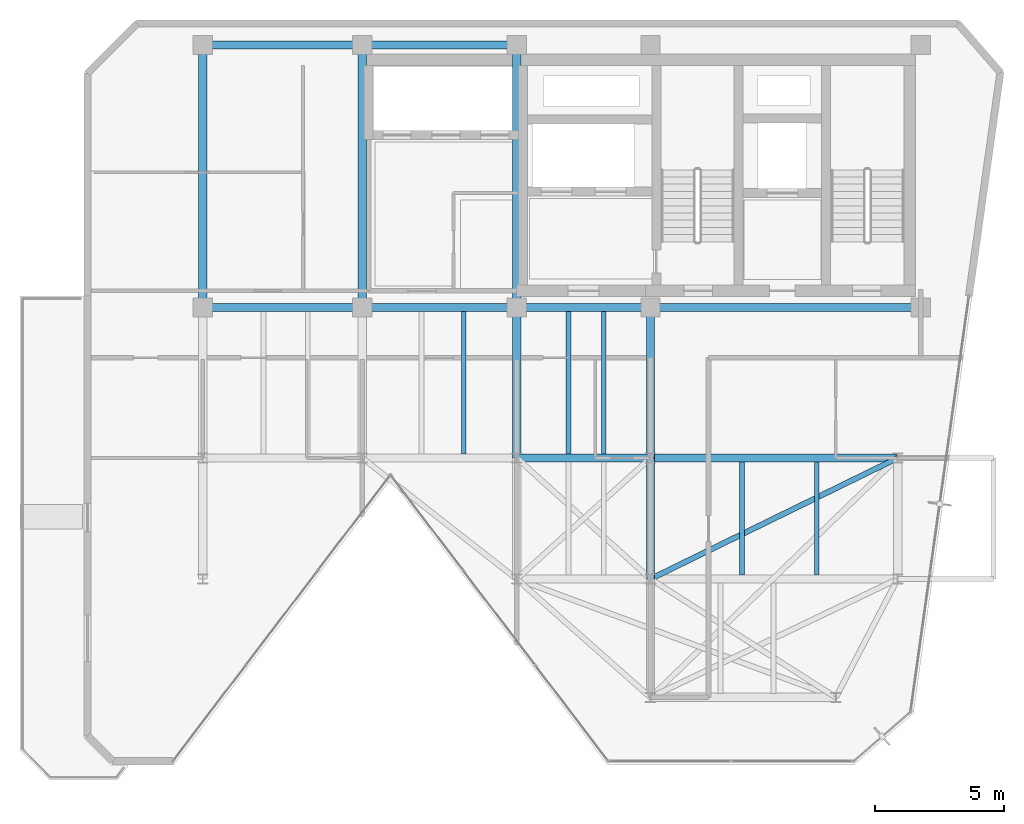
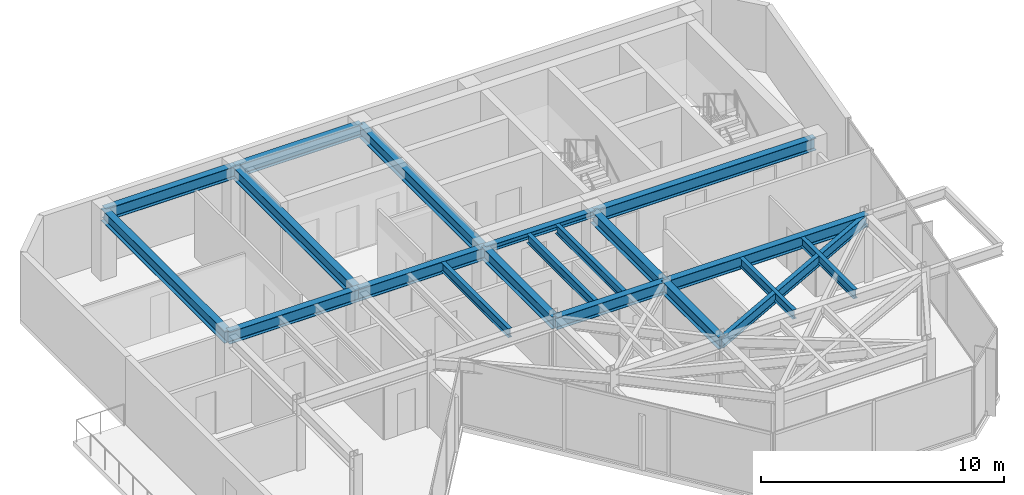
# One storey, part 9 of 16: 20 beams.
"""IFC4 building model written with IfcOpenShell, lengths in metres."""

from ifc_helpers import new_model, si_unit, direction, frame, origin, origin_2d, place, context, subcontext, project, spatial, i_section, extrude, material, material_profile, profile_set, type_object, element, save


model = new_model("IFC4")

# Units and contexts
model_context = context("Model", 3, precision=1e-05, world=origin(), true_north=direction((0.0, 1.0)))
body_context = subcontext(model_context, "Body", "Model", "MODEL_VIEW")
ifc_project = project(units=[si_unit("LENGTHUNIT", "METRE"), si_unit("AREAUNIT", "SQUARE_METRE"), si_unit("VOLUMEUNIT", "CUBIC_METRE"), si_unit("PLANEANGLEUNIT", "RADIAN"), si_unit("MASSUNIT", "GRAM", prefix="KILO")], contexts=[model_context])

# Site, building, storey
site_placement = place(None, origin())
site = spatial("IfcSite", under=ifc_project, at=site_placement, CompositionType="ELEMENT")
building_placement = place(site_placement, origin())
building = spatial("IfcBuilding", under=site, at=building_placement, Name="Kravanh Interchange Tower", CompositionType="ELEMENT")
storey_placement = place(building_placement, frame((0.0, 0.0, 296.699951171875)))
storey = spatial("IfcBuildingStorey", under=building, at=storey_placement, Name="L73", CompositionType="ELEMENT", Elevation=296.699951171875)

# Beams
ifc_material_1 = material(Name="Structural Steel S355", Category="steel")
ifc_material_profile_1 = material_profile(ifc_material_1, i_section(OverallWidth=0.323974609375, OverallDepth=0.611083984375, WebThickness=0.0126953125, FlangeThickness=0.01904296875, FilletRadius=0.02197265625, at=origin_2d()), Name="W24X104")
ifc_profile_set_1 = profile_set([ifc_material_profile_1], Name="Structural Steel S355")
beam_type_1 = type_object("IfcBeamType", Name="Floor Beam W24X104 Structural Steel S355", PredefinedType="BEAM", material=ifc_profile_set_1)
beam_1_placement = place(storey_placement, frame((50.800048828125, 31.5, 3.0595703125), z_axis=(1.0, 0.0, 0.0), x_axis=(0.0, 1.0, 0.0)))
element("IfcBeam", 1, at=beam_1_placement, inside=storey, type_object=beam_type_1, Name="L73 Primary Floor Girder 6", PredefinedType="BEAM", context=body_context, shape_type="SweptSolid", body=[
    extrude(i_section(OverallWidth=0.323974609375, OverallDepth=0.611083984375, WebThickness=0.0126953125, FlangeThickness=0.01904296875, FilletRadius=0.02197265625, at=origin_2d()), origin(), (0.0, 0.0, 1.0), 5.199951171875),
])
beam_2_placement = place(storey_placement, frame((50.800048828125, 31.5, 3.0595703125), z_axis=(0.0, 1.0, 0.0), x_axis=(-1.0, 0.0, 0.0)))
element("IfcBeam", 2, at=beam_2_placement, inside=storey, type_object=beam_type_1, Name="L73 Primary Floor Girder 7", PredefinedType="BEAM", context=body_context, shape_type="SweptSolid", body=[
    extrude(i_section(OverallWidth=0.323974609375, OverallDepth=0.611083984375, WebThickness=0.0126953125, FlangeThickness=0.01904296875, FilletRadius=0.02197265625, at=origin_2d()), origin(), (0.0, 0.0, 1.0), 5.85009765625),
])
beam_3_placement = place(storey_placement, frame((56.0, 31.5, 3.0595703125), z_axis=(0.0, -1.0, 0.0), x_axis=(1.0, 0.0, 0.0)))
element("IfcBeam", 3, at=beam_3_placement, inside=storey, type_object=beam_type_1, Name="L73 Primary Floor Girder 9", PredefinedType="BEAM", context=body_context, shape_type="SweptSolid", body=[
    extrude(i_section(OverallWidth=0.323974609375, OverallDepth=0.611083984375, WebThickness=0.0126953125, FlangeThickness=0.01904296875, FilletRadius=0.02197265625, at=origin_2d()), origin(), (0.0, 0.0, 1.0), 4.699951171875),
])
beam_4_placement = place(storey_placement, frame((56.0, 31.5, 3.0595703125), z_axis=(0.0, 1.0, 0.0), x_axis=(-1.0, 0.0, 0.0)))
element("IfcBeam", 4, at=beam_4_placement, inside=storey, type_object=beam_type_1, Name="L73 Primary Floor Girder 10", PredefinedType="BEAM", context=body_context, shape_type="SweptSolid", body=[
    extrude(i_section(OverallWidth=0.323974609375, OverallDepth=0.611083984375, WebThickness=0.0126953125, FlangeThickness=0.01904296875, FilletRadius=0.02197265625, at=origin_2d()), origin(), (0.0, 0.0, 1.0), 5.85009765625),
])
beam_5_placement = place(storey_placement, frame((56.0, 31.5, 3.0595703125), z_axis=(1.0, 0.0, 0.0), x_axis=(0.0, 1.0, 0.0)))
element("IfcBeam", 5, at=beam_5_placement, inside=storey, type_object=beam_type_1, Name="L73 Primary Floor Girder 12", PredefinedType="BEAM", context=body_context, shape_type="SweptSolid", body=[
    extrude(i_section(OverallWidth=0.323974609375, OverallDepth=0.611083984375, WebThickness=0.0126953125, FlangeThickness=0.01904296875, FilletRadius=0.02197265625, at=origin_2d()), origin(), (0.0, 0.0, 1.0), 9.60009765625),
])
beam_6_placement = place(storey_placement, frame((66.5, 37.35009765625, 3.0595703125), z_axis=(-1.0, 0.0, 0.0), x_axis=(0.0, -1.0, 0.0)))
element("IfcBeam", 6, at=beam_6_placement, inside=storey, type_object=beam_type_1, Name="L73 Primary Floor Girder 32", PredefinedType="BEAM", context=body_context, shape_type="SweptSolid", body=[
    extrude(i_section(OverallWidth=0.323974609375, OverallDepth=0.611083984375, WebThickness=0.0126953125, FlangeThickness=0.01904296875, FilletRadius=0.02197265625, at=origin_2d()), origin(), (0.0, 0.0, 1.0), 10.5),
])
beam_7_placement = place(storey_placement, frame((50.800048828125, 47.550048828125, 3.0595703125), z_axis=(-1.0, 0.0, 0.0), x_axis=(0.0, -1.0, 0.0)))
element("IfcBeam", 7, at=beam_7_placement, inside=storey, type_object=beam_type_1, Name="L73 Primary Floor Girder 34", PredefinedType="BEAM", context=body_context, shape_type="SweptSolid", body=[
    extrude(i_section(OverallWidth=0.323974609375, OverallDepth=0.611083984375, WebThickness=0.0126953125, FlangeThickness=0.01904296875, FilletRadius=0.02197265625, at=origin_2d()), origin(), (0.0, 0.0, 1.0), 6.0),
])
beam_8_placement = place(storey_placement, frame((50.800048828125, 47.550048828125, 3.0595703125), z_axis=(0.0, -1.0, 0.0), x_axis=(1.0, 0.0, 0.0)))
element("IfcBeam", 8, at=beam_8_placement, inside=storey, type_object=beam_type_1, Name="L73 Primary Floor Girder 35", PredefinedType="BEAM", context=body_context, shape_type="SweptSolid", body=[
    extrude(i_section(OverallWidth=0.323974609375, OverallDepth=0.611083984375, WebThickness=0.0126953125, FlangeThickness=0.01904296875, FilletRadius=0.02197265625, at=origin_2d()), origin(), (0.0, 0.0, 1.0), 10.199951171875),
])
beam_9_placement = place(storey_placement, frame((50.800048828125, 37.35009765625, 3.0595703125), z_axis=(-1.0, 0.0, 0.0), x_axis=(0.0, -1.0, 0.0)))
element("IfcBeam", 9, at=beam_9_placement, inside=storey, type_object=beam_type_1, Name="L73 Primary Floor Girder 36", PredefinedType="BEAM", context=body_context, shape_type="SweptSolid", body=[
    extrude(i_section(OverallWidth=0.323974609375, OverallDepth=0.611083984375, WebThickness=0.0126953125, FlangeThickness=0.01904296875, FilletRadius=0.02197265625, at=origin_2d()), origin(), (0.0, 0.0, 1.0), 6.0),
])
beam_10_placement = place(storey_placement, frame((44.800048828125, 37.35009765625, 3.0595703125), z_axis=(-1.0, 0.0, 0.0), x_axis=(0.0, -1.0, 0.0)))
element("IfcBeam", 10, at=beam_10_placement, inside=storey, type_object=beam_type_1, Name="L73 Primary Floor Girder 37", PredefinedType="BEAM", context=body_context, shape_type="SweptSolid", body=[
    extrude(i_section(OverallWidth=0.323974609375, OverallDepth=0.611083984375, WebThickness=0.0126953125, FlangeThickness=0.01904296875, FilletRadius=0.02197265625, at=origin_2d()), origin(), (0.0, 0.0, 1.0), 6.199951171875),
])
beam_11_placement = place(storey_placement, frame((44.800048828125, 37.35009765625, 3.0595703125), z_axis=(0.0, 1.0, 0.0), x_axis=(-1.0, 0.0, 0.0)))
element("IfcBeam", 11, at=beam_11_placement, inside=storey, type_object=beam_type_1, Name="L73 Primary Floor Girder 38", PredefinedType="BEAM", context=body_context, shape_type="SweptSolid", body=[
    extrude(i_section(OverallWidth=0.323974609375, OverallDepth=0.611083984375, WebThickness=0.0126953125, FlangeThickness=0.01904296875, FilletRadius=0.02197265625, at=origin_2d()), origin(), (0.0, 0.0, 1.0), 10.199951171875),
])
beam_12_placement = place(storey_placement, frame((44.800048828125, 47.550048828125, 3.0595703125), z_axis=(-1.0, 0.0, 0.0), x_axis=(0.0, -1.0, 0.0)))
element("IfcBeam", 12, at=beam_12_placement, inside=storey, type_object=beam_type_1, Name="L73 Primary Floor Girder 39", PredefinedType="BEAM", context=body_context, shape_type="SweptSolid", body=[
    extrude(i_section(OverallWidth=0.323974609375, OverallDepth=0.611083984375, WebThickness=0.0126953125, FlangeThickness=0.01904296875, FilletRadius=0.02197265625, at=origin_2d()), origin(), (0.0, 0.0, 1.0), 6.199951171875),
])
beam_13_placement = place(storey_placement, frame((38.60009765625, 37.35009765625, 3.0595703125), z_axis=(0.0, 1.0, 0.0), x_axis=(-1.0, 0.0, 0.0)))
element("IfcBeam", 13, at=beam_13_placement, inside=storey, type_object=beam_type_1, Name="L73 Primary Floor Girder 40", PredefinedType="BEAM", context=body_context, shape_type="SweptSolid", body=[
    extrude(i_section(OverallWidth=0.323974609375, OverallDepth=0.611083984375, WebThickness=0.0126953125, FlangeThickness=0.01904296875, FilletRadius=0.02197265625, at=origin_2d()), origin(), (0.0, 0.0, 1.0), 10.199951171875),
])
ifc_material_2 = material(Name="Structural Steel S355", Category="steel")
ifc_material_profile_2 = material_profile(ifc_material_2, i_section(OverallWidth=0.18994140625, OverallDepth=0.45703125, WebThickness=0.009033203125, FlangeThickness=0.014404296875, FilletRadius=0.01806640625, at=origin_2d()), Name="W18X50")
ifc_profile_set_2 = profile_set([ifc_material_profile_2], Name="Structural Steel S355")
beam_type_2 = type_object("IfcBeamType", Name="Floor Joist W18X50 Structural Steel S355", PredefinedType="JOIST", material=ifc_profile_set_2)
for number, where, z_axis, x_axis, name in (
    (14, (59.554931640625, 26.95703125, 3.136474609375), (0.0, 1.0, 0.0), (-1.0, 0.0, 0.0), "L73 Secondary Floor Joist 5"),
    (15, (62.4599609375, 26.95703125, 3.136474609375), (0.0, 1.0, 0.0), (-1.0, 0.0, 0.0), "L73 Secondary Floor Joist 6"),
):
    element("IfcBeam", number, at=place(storey_placement, frame(where, z_axis=z_axis, x_axis=x_axis)), inside=storey, type_object=beam_type_2, Name=name, PredefinedType="JOIST", context=body_context, shape_type="SweptSolid", body=[
        extrude(i_section(OverallWidth=0.18994140625, OverallDepth=0.45703125, WebThickness=0.009033203125, FlangeThickness=0.014404296875, FilletRadius=0.01806640625, at=origin_2d()), origin(), (0.0, 0.0, 1.0), 4.385986328125),
    ])
beam_14_placement = place(storey_placement, frame((48.739990234375, 31.656982421875, 3.136474609375), z_axis=(0.0, 1.0, 0.0), x_axis=(-1.0, 0.0, 0.0)))
element("IfcBeam", 16, at=beam_14_placement, inside=storey, type_object=beam_type_2, Name="L73 Secondary Floor Joist 10", PredefinedType="JOIST", context=body_context, shape_type="SweptSolid", body=[
    extrude(i_section(OverallWidth=0.18994140625, OverallDepth=0.45703125, WebThickness=0.009033203125, FlangeThickness=0.014404296875, FilletRadius=0.01806640625, at=origin_2d()), origin(), (0.0, 0.0, 1.0), 5.5361328125),
])
for number, where, z_axis, x_axis, name in (
    (17, (52.81494140625, 31.656982421875, 3.136474609375), (0.0, 1.0, 0.0), (-1.0, 0.0, 0.0), "L73 Secondary Floor Joist 11"),
    (18, (54.179931640625, 31.656982421875, 3.136474609375), (0.0, 1.0, 0.0), (-1.0, 0.0, 0.0), "L73 Secondary Floor Joist 12"),
):
    element("IfcBeam", number, at=place(storey_placement, frame(where, z_axis=z_axis, x_axis=x_axis)), inside=storey, type_object=beam_type_2, Name=name, PredefinedType="JOIST", context=body_context, shape_type="SweptSolid", body=[
        extrude(i_section(OverallWidth=0.18994140625, OverallDepth=0.45703125, WebThickness=0.009033203125, FlangeThickness=0.014404296875, FilletRadius=0.01806640625, at=origin_2d()), origin(), (0.0, 0.0, 1.0), 5.54541015625),
    ])
ifc_material_3 = material(Name="Structural Steel S355", Category="steel")
ifc_material_profile_3 = material_profile(ifc_material_3, i_section(OverallWidth=0.304931640625, OverallDepth=0.306884765625, WebThickness=0.010009765625, FlangeThickness=0.015380859375, FilletRadius=0.014892578125, at=origin_2d()), Name="W12X65")
ifc_profile_set_3 = profile_set([ifc_material_profile_3], Name="Structural Steel S355")
beam_type_3 = type_object("IfcBeamType", Name="Floor Lintel W12X65 Structural Steel S355", PredefinedType="LINTEL", material=ifc_profile_set_3)
beam_15_placement = place(storey_placement, frame((50.800048828125, 37.35009765625, 3.211669921875), z_axis=(1.0, 0.0, 0.0), x_axis=(0.0, 1.0, 0.0)))
element("IfcBeam", 19, at=beam_15_placement, inside=storey, type_object=beam_type_3, Name="L73 Core Coupling Lintel 1", PredefinedType="LINTEL", context=body_context, shape_type="SweptSolid", body=[
    extrude(i_section(OverallWidth=0.304931640625, OverallDepth=0.306884765625, WebThickness=0.010009765625, FlangeThickness=0.015380859375, FilletRadius=0.014892578125, at=origin_2d()), origin(), (0.0, 0.0, 1.0), 5.199951171875),
])
ifc_material_4 = material(Name="Structural Steel S355", Category="steel")
ifc_material_profile_4 = material_profile(ifc_material_4, i_section(OverallWidth=0.2099609375, OverallDepth=0.537109375, WebThickness=0.010986328125, FlangeThickness=0.017333984375, FilletRadius=0.02001953125, at=origin_2d()), Name="W21X68")
ifc_profile_set_4 = profile_set([ifc_material_profile_4], Name="Structural Steel S355")
beam_type_4 = type_object("IfcBeamType", Name="Floor Spandrel W21X68 Structural Steel S355", PredefinedType="SPANDREL", material=ifc_profile_set_4)
beam_16_placement = place(storey_placement, frame((65.60009765625, 31.5, 3.096435546875), z_axis=(-0.898141688387, -0.439706160499, 0.0), x_axis=(0.439706160499, -0.898141688387, 0.0)))
element("IfcBeam", 20, at=beam_16_placement, inside=storey, type_object=beam_type_4, Name="L73 Perimeter Spandrel 15", PredefinedType="SPANDREL", context=body_context, shape_type="SweptSolid", body=[
    extrude(i_section(OverallWidth=0.2099609375, OverallDepth=0.537109375, WebThickness=0.010986328125, FlangeThickness=0.017333984375, FilletRadius=0.02001953125, at=origin_2d()), origin(), (0.0, 0.0, 1.0), 10.68896484375),
])

save(model, "model.ifc")
